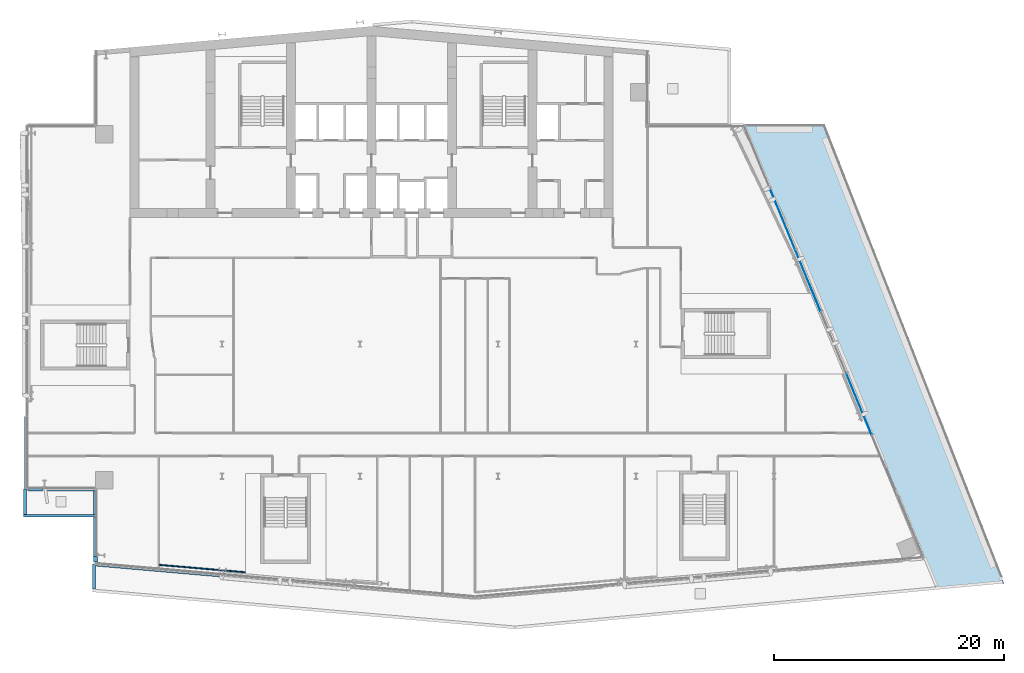
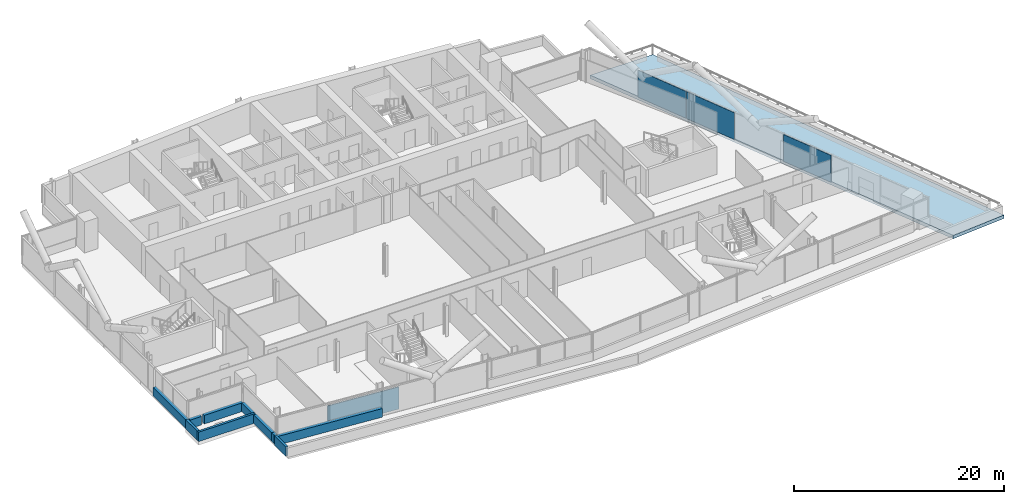
# One storey, part 14 of 30: 11 walls, 3 plates, 1 slab, 1 element without a shape of its own.
"""IFC4 building model written with IfcOpenShell, lengths in metres."""

from ifc_helpers import new_model, si_unit, direction, frame, frame_2d, origin, origin_2d, place, context, subcontext, project, spatial, polyline, rectangle, outline, extrude, material, layer, layer_set, type_object, element, aggregate, save


model = new_model("IFC4")

# Units and contexts
model_context = context("Model", 3, precision=1e-05, world=origin(), true_north=direction((0.0, 1.0)))
body_context = subcontext(model_context, "Body", "Model", "MODEL_VIEW")
ifc_project = project(units=[si_unit("LENGTHUNIT", "METRE"), si_unit("AREAUNIT", "SQUARE_METRE"), si_unit("VOLUMEUNIT", "CUBIC_METRE"), si_unit("PLANEANGLEUNIT", "RADIAN"), si_unit("MASSUNIT", "GRAM", prefix="KILO")], contexts=[model_context])

# Site, building, storey
site_placement = place(None, origin())
site = spatial("IfcSite", under=ifc_project, at=site_placement, CompositionType="ELEMENT")
building_placement = place(site_placement, origin())
building = spatial("IfcBuilding", under=site, at=building_placement, Name="Wharfspan Tower", CompositionType="ELEMENT")
storey_placement = place(building_placement, frame((0.0, 0.0, 151.899902)))
storey = spatial("IfcBuildingStorey", under=building, at=storey_placement, Name="L36", CompositionType="ELEMENT", Elevation=151.899902)

# Curtain wall, plates
ifc_material_1 = material(Name="Aluminium 6063-T6", Category="aluminium")
curtain_wall_type = type_object("IfcCurtainWallType", Name="CURTAIN WALL PROW AND END", PredefinedType="NOTDEFINED", material=ifc_material_1)
curtain_wall_placement = place(storey_placement, origin())
curtain_wall = element("IfcCurtainWall", 1, at=curtain_wall_placement, inside=storey, type_object=curtain_wall_type, Name="Curtain wall E", PredefinedType="NOTDEFINED")
ifc_material_2 = material(Name="Aluminium composite opaque insulated panel", Category="aluminium")
ifc_layer_1 = layer(ifc_material_2, 0.040039)
ifc_layer_set_1 = layer_set([ifc_layer_1], Name="Aluminium composite opaque insulated panel")
plate_type = type_object("IfcPlateType", Name="INFILL PANEL PROW AND END OPAQUE 40", PredefinedType="SHEET", material=ifc_layer_set_1)
plate_1_placement = place(storey_placement, frame((79.38208, 17.798096, 0.0), z_axis=(0.0, 0.0, 1.0), x_axis=(-0.381602, 0.924325, 0.0)))
plate_1 = element("IfcPlate", 2, at=plate_1_placement, type_object=plate_type, Name="Curtain wall E panel 3", PredefinedType="SHEET", context=body_context, shape_type="SweptSolid", body=[
    extrude(rectangle(XDim=5.751221, YDim=0.040039, at=origin_2d()), origin(), (0.0, 0.0, 1.0), 3.120117),
])
plate_2_placement = place(storey_placement, frame((74.947021, 28.541016, 0.0), z_axis=(0.0, 0.0, 1.0), x_axis=(-0.381602, 0.924325, 0.0)))
plate_2 = element("IfcPlate", 3, at=plate_2_placement, type_object=plate_type, Name="Curtain wall E panel 5", PredefinedType="SHEET", context=body_context, shape_type="SweptSolid", body=[
    extrude(rectangle(XDim=5.751221, YDim=0.040039, at=origin_2d()), origin(), (0.0, 0.0, 1.0), 3.120117),
])
plate_3_placement = place(storey_placement, frame((72.729492, 33.912354, 0.0), z_axis=(0.0, 0.0, 1.0), x_axis=(-0.381602, 0.924325, 0.0)))
plate_3 = element("IfcPlate", 4, at=plate_3_placement, type_object=plate_type, Name="Curtain wall E panel 6", PredefinedType="SHEET", context=body_context, shape_type="SweptSolid", body=[
    extrude(rectangle(XDim=5.751221, YDim=0.040039, at=origin_2d()), origin(), (0.0, 0.0, 1.0), 3.120117),
])
aggregate(curtain_wall, [plate_1, plate_2, plate_3])

# Slab
ifc_material_3 = material(Name="Concrete C40/50", Category="concrete")
ifc_layer_2 = layer(ifc_material_3, 0.399902)
ifc_layer_set_2 = layer_set([ifc_layer_2], Name="Concrete C40/50")
slab_type = type_object("IfcSlabType", Name="Terrace slab 400", PredefinedType="FLOOR", material=ifc_layer_set_2)
slab_placement = place(storey_placement, frame((0.0, 0.0, -0.400146)))
element("IfcSlab", 5, at=slab_placement, inside=storey, type_object=slab_type, Name="Terrace slab T2E L36", PredefinedType="FLOOR", context=body_context, shape_type="SweptSolid", body=[
    extrude(outline(polyline([(92.0, 2.199951), (76.358154, 42.0), (69.479248, 42.0), (85.00293, 4.398193), (85.000732, 4.398193), (86.120605, 1.685547), (92.0, 2.199951)])), origin(), (0.0, 0.0, 1.0), 0.400146),
])

# Walls
ifc_layer_3 = layer(ifc_material_3, 0.25)
ifc_layer_set_3 = layer_set([ifc_layer_3], Name="Concrete C40/50")
wall_type_1 = type_object("IfcWallType", Name="PARAPET CONCRETE 250", PredefinedType="PARAPET", material=ifc_layer_set_3)
wall_1_placement = place(storey_placement, frame((12.875, 1.695557, 0.0), z_axis=(0.0, 0.0, 1.0), x_axis=(0.0, 1.0, 0.0)))
element("IfcWall", 6, at=wall_1_placement, inside=storey, type_object=wall_type_1, Name="Ledge parapet", PredefinedType="PARAPET", context=body_context, shape_type="SweptSolid", body=[
    extrude(rectangle(XDim=2.179443, YDim=0.25, at=frame_2d((1.089844, 0.0))), origin(), (0.0, 0.0, 1.0), 1.100098),
])
wall_2_placement = place(storey_placement, frame((13.0, 8.074951, 0.0), z_axis=(0.0, 0.0, 1.0), x_axis=(-1.0, 0.0, 0.0)))
element("IfcWall", 7, at=wall_2_placement, inside=storey, type_object=wall_type_1, Name="Ledge parapet", PredefinedType="PARAPET", context=body_context, shape_type="SweptSolid", body=[
    extrude(rectangle(XDim=6.25, YDim=0.25, at=frame_2d((3.125, 0.0))), origin(), (0.0, 0.0, 1.0), 1.100098),
])
wall_3_placement = place(storey_placement, frame((6.875, 8.199951, 0.0), z_axis=(0.0, 0.0, 1.0), x_axis=(0.0, 1.0, 0.0)))
element("IfcWall", 8, at=wall_3_placement, inside=storey, type_object=wall_type_1, Name="Ledge parapet", PredefinedType="PARAPET", context=body_context, shape_type="SweptSolid", body=[
    extrude(rectangle(XDim=2.199951, YDim=0.25, at=frame_2d((1.100098, 0.0))), origin(), (0.0, 0.0, 1.0), 1.100098),
])
ifc_material_4 = material(Name="Gypsum board on steel studs", Category="steel")
ifc_layer_4 = layer(ifc_material_4, 0.100098)
ifc_layer_set_4 = layer_set([ifc_layer_4], Name="Gypsum board on steel studs")
wall_type_2 = type_object("IfcWallType", Name="Partition 100", PredefinedType="PARTITIONING", material=ifc_layer_set_4)
wall_4_placement = place(storey_placement, frame((26.019287, 3.156738, 0.0), z_axis=(0.0, 0.0, 1.0), x_axis=(-0.996326, 0.085682, 0.0)))
element("IfcWall", 9, at=wall_4_placement, inside=storey, type_object=wall_type_2, Name="Partition L36.w020", PredefinedType="PARTITIONING", context=body_context, shape_type="SweptSolid", body=[
    extrude(rectangle(XDim=7.502441, YDim=0.100098, at=frame_2d((3.751221, 0.0))), origin(), (0.0, 0.0, 1.0), 2.580078),
])
ifc_layer_5 = layer(ifc_material_3, 0.350098)
ifc_layer_set_5 = layer_set([ifc_layer_5], Name="Concrete C40/50")
wall_type_3 = type_object("IfcWallType", Name="SPANDREL EXPOSED CONCRETE 350", PredefinedType="SOLIDWALL", material=ifc_layer_set_5)
wall_5_placement = place(storey_placement, frame((13.015137, 3.868652, 0.0), z_axis=(0.0, 0.0, 1.0), x_axis=(0.996194, -0.087142, 0.0)))
element("IfcWall", 10, at=wall_5_placement, inside=storey, type_object=wall_type_3, Name="Spandrel upstand L36 S1 1", PredefinedType="SOLIDWALL", context=body_context, shape_type="SweptSolid", body=[
    extrude(rectangle(XDim=10.996338, YDim=0.350098, at=frame_2d((5.498047, 0.0))), origin(), (0.0, 0.0, 1.0), 1.0),
])
wall_6_placement = place(storey_placement, frame((6.995117, 16.689941, 0.0), z_axis=(0.0, 0.0, 1.0), x_axis=(0.0, -1.0, 0.0)))
element("IfcWall", 11, at=wall_6_placement, inside=storey, type_object=wall_type_3, Name="Spandrel upstand L36 W", PredefinedType="SOLIDWALL", context=body_context, shape_type="SweptSolid", body=[
    extrude(rectangle(XDim=6.290039, YDim=0.350098, at=frame_2d((3.14502, 0.0))), origin(), (0.0, 0.0, 1.0), 1.0),
])
wall_7_placement = place(storey_placement, frame((7.169922, 10.39502, 0.0), z_axis=(0.0, 0.0, 1.0), x_axis=(1.0, 0.0, 0.0)))
element("IfcWall", 12, at=wall_7_placement, inside=storey, type_object=wall_type_3, Name="Spandrel upstand L36 NFW-H", PredefinedType="SOLIDWALL", context=body_context, shape_type="SweptSolid", body=[
    extrude(rectangle(XDim=1.238281, YDim=0.350098, at=frame_2d((0.619141, 0.0))), origin(), (0.0, 0.0, 1.0), 1.0),
])
wall_8_placement = place(storey_placement, frame((8.713379, 10.39502, 0.0), z_axis=(0.0, 0.0, 1.0), x_axis=(1.0, 0.0, 0.0)))
element("IfcWall", 13, at=wall_8_placement, inside=storey, type_object=wall_type_3, Name="Spandrel upstand L36 NFW-H 2", PredefinedType="SOLIDWALL", context=body_context, shape_type="SweptSolid", body=[
    extrude(rectangle(XDim=4.286621, YDim=0.350098, at=frame_2d((2.143311, 0.0))), origin(), (0.0, 0.0, 1.0), 1.0),
])
wall_9_placement = place(storey_placement, frame((12.995117, 10.219971, 0.0), z_axis=(0.0, 0.0, 1.0), x_axis=(0.0, -1.0, 0.0)))
element("IfcWall", 14, at=wall_9_placement, inside=storey, type_object=wall_type_3, Name="Spandrel upstand L36 NFW-V", PredefinedType="SOLIDWALL", context=body_context, shape_type="SweptSolid", body=[
    extrude(rectangle(XDim=2.02002, YDim=0.350098, at=frame_2d((1.01001, 0.0))), origin(), (0.0, 0.0, 1.0), 1.0),
])
wall_10_placement = place(storey_placement, frame((12.995117, 7.949951, 0.0), z_axis=(0.0, 0.0, 1.0), x_axis=(0.0, -1.0, 0.0)))
element("IfcWall", 15, at=wall_10_placement, inside=storey, type_object=wall_type_3, Name="Spandrel upstand L36 NFW-V 2", PredefinedType="SOLIDWALL", context=body_context, shape_type="SweptSolid", body=[
    extrude(rectangle(XDim=3.42334, YDim=0.350098, at=frame_2d((1.71167, 0.0))), origin(), (0.0, 0.0, 1.0), 1.0),
])
wall_11_placement = place(storey_placement, frame((12.995117, 4.512451, 0.0), z_axis=(0.0, 0.0, 1.0), x_axis=(0.0, -1.0, 0.0)))
element("IfcWall", 16, at=wall_11_placement, inside=storey, type_object=wall_type_3, Name="Spandrel upstand L36 NFW-V 3", PredefinedType="SOLIDWALL", context=body_context, shape_type="SweptSolid", body=[
    extrude(rectangle(XDim=0.469482, YDim=0.350098, at=frame_2d((0.234863, 0.0))), origin(), (0.0, 0.0, 1.0), 1.0),
])

save(model, "model.ifc")
